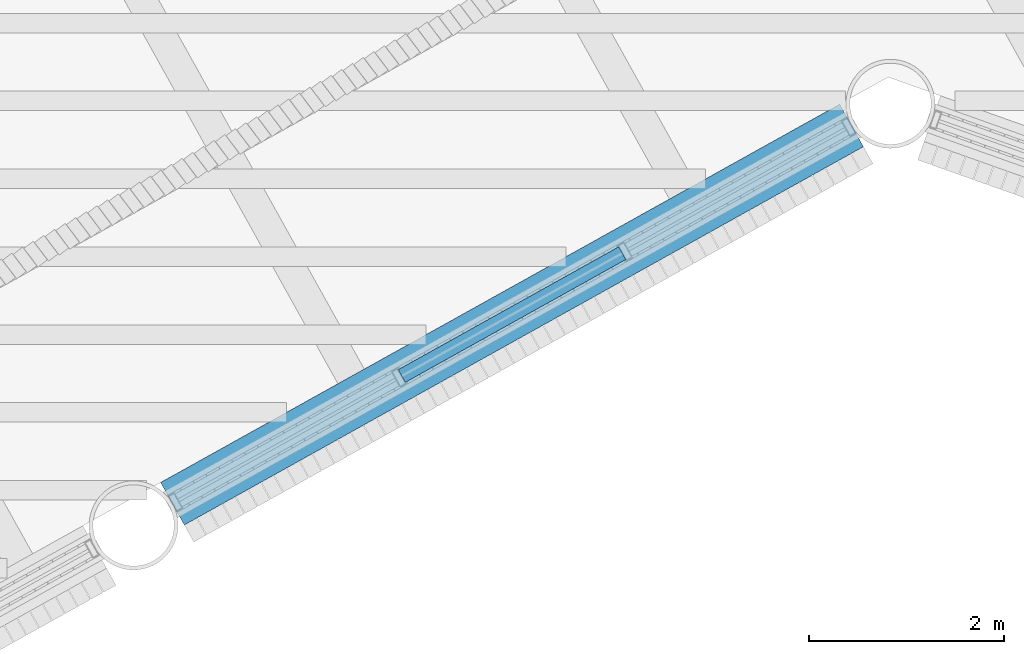
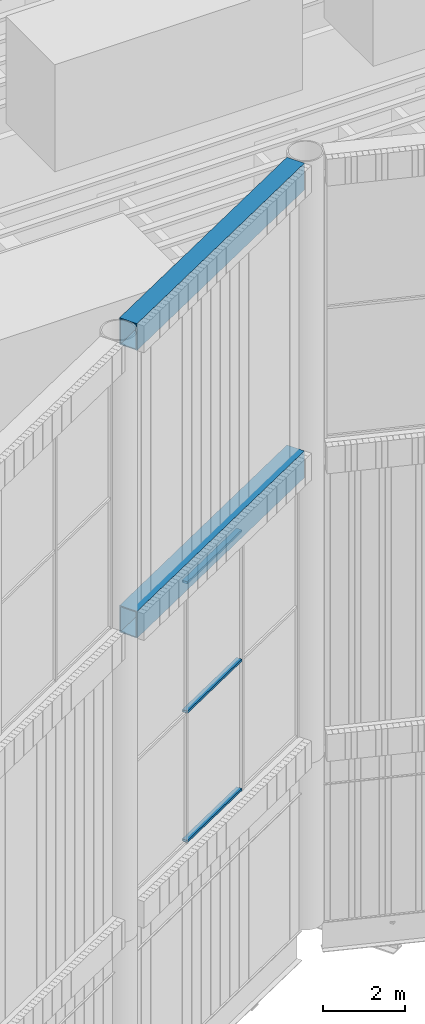
# One storey, part 11 of 117: 3 members, 2 beams, 1 element without a shape of its own.
"""IFC4 building model written with IfcOpenShell, lengths in metres."""

from ifc_helpers import new_model, si_unit, direction, frame, origin, origin_2d, place, context, subcontext, project, spatial, hollow_rectangle, extrude, material, layer, layer_set, material_profile, profile_set, type_object, element, aggregate, save


model = new_model("IFC4")

# Units and contexts
model_context = context("Model", 3, precision=1e-05, world=origin(), true_north=direction((0.0, 1.0)))
body_context = subcontext(model_context, "Body", "Model", "MODEL_VIEW")
ifc_project = project(units=[si_unit("LENGTHUNIT", "METRE"), si_unit("AREAUNIT", "SQUARE_METRE"), si_unit("VOLUMEUNIT", "CUBIC_METRE"), si_unit("PLANEANGLEUNIT", "RADIAN"), si_unit("MASSUNIT", "GRAM", prefix="KILO")], contexts=[model_context])

# Site, building, storey
site_placement = place(None, origin())
site = spatial("IfcSite", under=ifc_project, at=site_placement, CompositionType="ELEMENT")
building_placement = place(site_placement, origin())
building = spatial("IfcBuilding", under=site, at=building_placement, Name="Tarsis Ring Headquarters", CompositionType="ELEMENT")
storey_placement = place(building_placement, frame((0.0, 0.0, 403.60009765625)))
storey = spatial("IfcBuildingStorey", under=building, at=storey_placement, Name="L95", CompositionType="ELEMENT", Elevation=403.60009765625)

# Beams
ifc_material_1 = material(Name="Structural steel S355", Category="steel")
ifc_material_profile_1 = material_profile(ifc_material_1, hollow_rectangle(XDim=0.5, YDim=0.800048828125, WallThickness=0.030029296875, at=origin_2d()), Name="RHS 800x500x30")
ifc_profile_set_1 = profile_set([ifc_material_profile_1], Name="Structural steel S355")
beam_type = type_object("IfcBeamType", Name="Crown frame ring beam RHS 800x500x30", PredefinedType="BEAM", material=ifc_profile_set_1)
for number, where, z_axis, x_axis, name in (
    (1, (-22.01171875, -29.202880859375, 14.0), (0.873598789311, 0.486646848664, 0.0), (-0.486646848664, 0.873598789311, 0.0), "Crown frame ring beam M19"),
    (2, (-22.01171875, -29.202880859375, 22.599853515625), (0.873598789311, 0.486646848664, 0.0), (-0.486646848664, 0.873598789311, 0.0), "Crown frame ring beam T19"),
):
    element("IfcBeam", number, at=place(storey_placement, frame(where, z_axis=z_axis, x_axis=x_axis)), inside=storey, type_object=beam_type, Name=name, PredefinedType="BEAM", context=body_context, shape_type="SweptSolid", body=[
        extrude(hollow_rectangle(XDim=0.5, YDim=0.800048828125, WallThickness=0.030029296875, at=origin_2d()), origin(), (0.0, 0.0, 1.0), 7.98828125),
    ])

# Curtain wall, members
ifc_material_2 = material(Name="Aluminium curtain wall", Category="aluminium")
ifc_layer = layer(ifc_material_2, 0.179931640625)
ifc_layer_set = layer_set([ifc_layer], Name="Curtain wall crown glazing")
curtain_wall_type = type_object("IfcCurtainWallType", Name="Curtain wall crown glazing", PredefinedType="NOTDEFINED", material=ifc_layer_set)
curtain_wall_placement = place(storey_placement, origin())
curtain_wall = element("IfcCurtainWall", 3, at=curtain_wall_placement, inside=storey, type_object=curtain_wall_type, Name="Crown glazing L19", PredefinedType="NOTDEFINED")
ifc_material_3 = material(Name="Aluminium transom", Category="aluminium")
ifc_material_profile_2 = material_profile(ifc_material_3, hollow_rectangle(XDim=0.14990234375, YDim=0.070068359375, WallThickness=0.0048828125, at=origin_2d()), Name="RHS 150x70x5")
ifc_profile_set_2 = profile_set([ifc_material_profile_2], Name="Aluminium transom")
member_type = type_object("IfcMemberType", Name="Crown glazing transom RHS 150x70x5", PredefinedType="USERDEFINED", material=ifc_profile_set_2)
member_1_placement = place(storey_placement, frame((-19.65478515625, -27.89013671875, 5.8349609375), z_axis=(0.873592569316, 0.486658014253, 0.0), x_axis=(-0.486658014253, 0.873592569316, 0.0)))
member_1 = element("IfcMember", 4, at=member_1_placement, type_object=member_type, Name="CW-C transom 2.1", ObjectType="TRANSOM", PredefinedType="USERDEFINED", context=body_context, shape_type="SweptSolid", body=[
    extrude(hollow_rectangle(XDim=0.14990234375, YDim=0.070068359375, WallThickness=0.0048828125, at=origin_2d()), origin(), (0.0, 0.0, 1.0), 2.592529296875),
])
member_2_placement = place(storey_placement, frame((-19.65478515625, -27.89013671875, 9.699951171875), z_axis=(0.873592569316, 0.486658014253, 0.0), x_axis=(-0.486658014253, 0.873592569316, 0.0)))
member_2 = element("IfcMember", 5, at=member_2_placement, type_object=member_type, Name="CW-C transom 2.2", ObjectType="TRANSOM", PredefinedType="USERDEFINED", context=body_context, shape_type="SweptSolid", body=[
    extrude(hollow_rectangle(XDim=0.14990234375, YDim=0.070068359375, WallThickness=0.0048828125, at=origin_2d()), origin(), (0.0, 0.0, 1.0), 2.592529296875),
])
member_3_placement = place(storey_placement, frame((-19.65478515625, -27.89013671875, 13.56494140625), z_axis=(0.873592569316, 0.486658014253, 0.0), x_axis=(-0.486658014253, 0.873592569316, 0.0)))
member_3 = element("IfcMember", 6, at=member_3_placement, type_object=member_type, Name="CW-C transom 2.3", ObjectType="TRANSOM", PredefinedType="USERDEFINED", context=body_context, shape_type="SweptSolid", body=[
    extrude(hollow_rectangle(XDim=0.14990234375, YDim=0.070068359375, WallThickness=0.0048828125, at=origin_2d()), origin(), (0.0, 0.0, 1.0), 2.592529296875),
])
aggregate(curtain_wall, [member_1, member_2, member_3])

save(model, "model.ifc")
